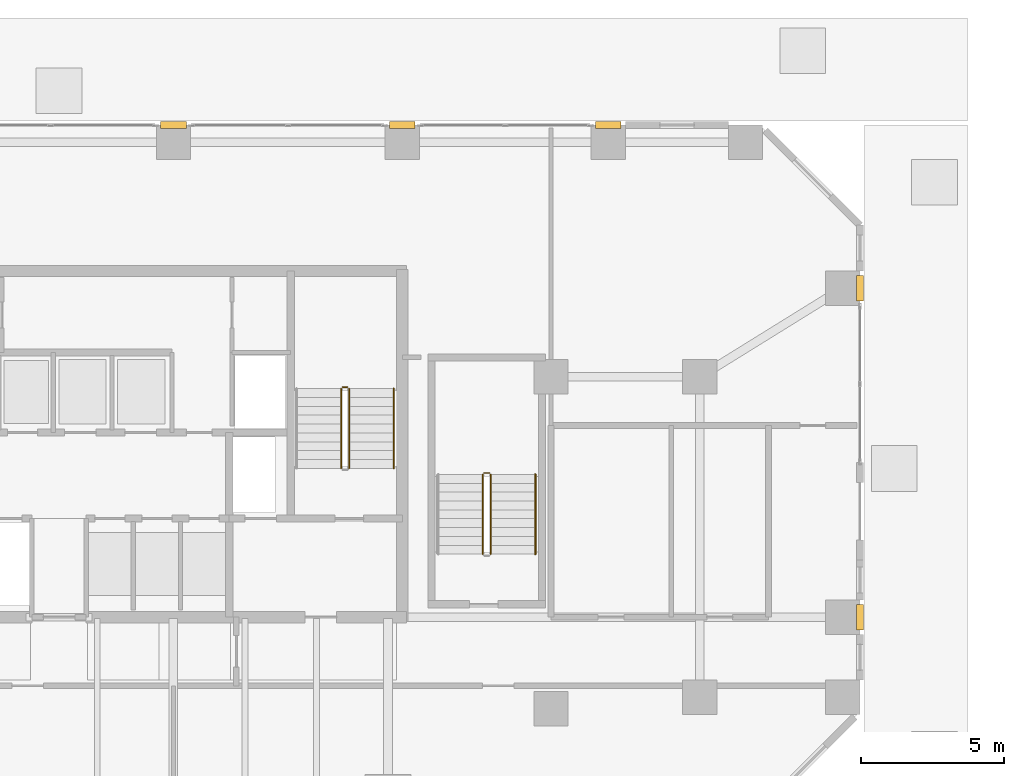
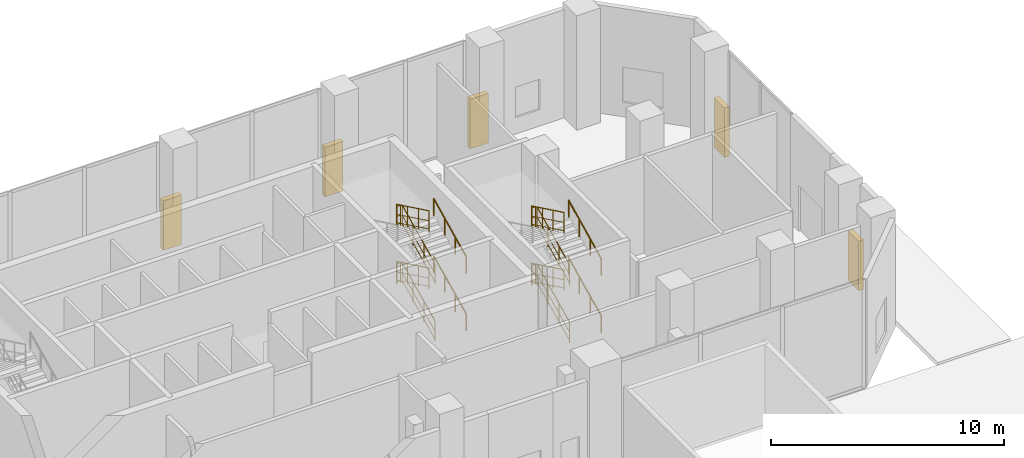
# One storey, part 24 of 26: 16 railings, 5 coverings.
"""IFC4 building model written with IfcOpenShell, lengths in metres."""

from ifc_helpers import new_model, si_unit, direction, frame, origin, origin_2d, place, context, subcontext, project, spatial, rectangle, circle, extrude, material, layer, layer_set, type_object, element, save


model = new_model("IFC4")

# Units and contexts
model_context = context("Model", 3, precision=1e-05, world=origin(), true_north=direction((0.0, 1.0)))
body_context = subcontext(model_context, "Body", "Model", "MODEL_VIEW")
ifc_project = project(units=[si_unit("LENGTHUNIT", "METRE"), si_unit("AREAUNIT", "SQUARE_METRE"), si_unit("VOLUMEUNIT", "CUBIC_METRE"), si_unit("PLANEANGLEUNIT", "RADIAN"), si_unit("MASSUNIT", "GRAM", prefix="KILO")], contexts=[model_context])

# Site, building, storey
site_placement = place(None, origin())
site = spatial("IfcSite", under=ifc_project, at=site_placement, CompositionType="ELEMENT")
building_placement = place(site_placement, origin())
building = spatial("IfcBuilding", under=site, at=building_placement, Name="Catumbela Crestline Tower", CompositionType="ELEMENT")
storey_placement = place(building_placement, origin())
storey = spatial("IfcBuildingStorey", under=building, at=storey_placement, Name="L00", CompositionType="ELEMENT", Elevation=0.0)

# Coverings
ifc_material_1 = material(Name="Extruded terracotta ceramic", Category="masonry")
ifc_layer = layer(ifc_material_1, 0.08, Name="Extruded terracotta ceramic")
ifc_layer_set = layer_set([ifc_layer], Name="Extruded terracotta ceramic")
covering_type = type_object("IfcCoveringType", Name="CC-TER", PredefinedType="CLADDING", material=ifc_layer_set)
for number, where, z_axis, x_axis, name in (
    (1, (56.0, 30.8, 0.0), (0.0, 0.0, 1.0), (0.0, 1.0, 0.0), "L00 Fluted Terracotta Column Cladding 9"),
    (2, (56.0, 42.3, 0.0), (0.0, 0.0, 1.0), (0.0, 1.0, 0.0), "L00 Fluted Terracotta Column Cladding 10"),
    (3, (32.0, 48.0, 0.0), (0.0, 0.0, 1.0), (-1.0, 0.0, 0.0), "L00 Fluted Terracotta Column Cladding 13"),
    (4, (40.0, 48.0, 0.0), (0.0, 0.0, 1.0), (-1.0, 0.0, 0.0), "L00 Fluted Terracotta Column Cladding 14"),
    (5, (47.2, 48.0, 0.0), (0.0, 0.0, 1.0), (-1.0, 0.0, 0.0), "L00 Fluted Terracotta Column Cladding 15"),
):
    element("IfcCovering", number, at=place(storey_placement, frame(where, z_axis=z_axis, x_axis=x_axis)), inside=storey, type_object=covering_type, Name=name, PredefinedType="CLADDING", context=body_context, shape_type="SweptSolid", body=[
        extrude(rectangle(XDim=0.9, YDim=0.24, at=origin_2d()), origin(), (0.0, 0.0, 1.0), 2.6),
    ])

# Railings
ifc_material_2 = material(Name="Stainless steel EN 1.4401", Category="steel")
railing_type_1 = type_object("IfcRailingType", Name="RG-1100", PredefinedType="GUARDRAIL", material=ifc_material_2)
railing_1_placement = place(storey_placement, frame((38.14, 36.0, 0.15)))
element("IfcRailing", 6, at=railing_1_placement, inside=storey, type_object=railing_type_1, Name="L00 ST-02 stair guard 1", PredefinedType="GUARDRAIL", context=body_context, shape_type="SweptSolid", body=[
    extrude(circle(Radius=0.024, at=origin_2d()), frame((0.0, 0.0, 1.076), z_axis=(0.0, 0.900159251416, 0.435560928104), x_axis=(-1.0, 0.0, 0.0)), (0.0, 0.0, 1.0), 3.0995),
    extrude(circle(Radius=0.0156, at=origin_2d()), frame((0.0, 0.0, 0.55), z_axis=(0.0, 0.900159251416, 0.435560928104), x_axis=(-1.0, 0.0, 0.0)), (0.0, 0.0, 1.0), 3.0995),
    extrude(circle(Radius=0.0156, at=origin_2d()), frame((0.0, 0.0, 0.12), z_axis=(0.0, 0.900159251416, 0.435560928104), x_axis=(-1.0, 0.0, 0.0)), (0.0, 0.0, 1.0), 3.0995),
    extrude(circle(Radius=0.021, at=origin_2d()), origin(), (0.0, 0.0, 1.0), 1.052),
    extrude(circle(Radius=0.021, at=origin_2d()), frame((0.0, 0.93, 0.45)), (0.0, 0.0, 1.0), 1.052),
    extrude(circle(Radius=0.021, at=origin_2d()), frame((0.0, 1.86, 0.9)), (0.0, 0.0, 1.0), 1.052),
    extrude(circle(Radius=0.021, at=origin_2d()), frame((0.0, 2.79, 1.35)), (0.0, 0.0, 1.0), 1.052),
])
railing_2_placement = place(storey_placement, frame((38.09, 38.84, 1.5)))
element("IfcRailing", 7, at=railing_2_placement, inside=storey, type_object=railing_type_1, Name="L00 ST-02 stair guard 2", PredefinedType="GUARDRAIL", context=body_context, shape_type="SweptSolid", body=[
    extrude(circle(Radius=0.024, at=origin_2d()), frame((0.0, 0.0, 1.076), z_axis=(-1.0, 0.0, 0.0), x_axis=(0.0, -1.0, 0.0)), (0.0, 0.0, 1.0), 0.18),
    extrude(circle(Radius=0.0156, at=origin_2d()), frame((0.0, 0.0, 0.55), z_axis=(-1.0, 0.0, 0.0), x_axis=(0.0, -1.0, 0.0)), (0.0, 0.0, 1.0), 0.18),
    extrude(circle(Radius=0.0156, at=origin_2d()), frame((0.0, 0.0, 0.12), z_axis=(-1.0, 0.0, 0.0), x_axis=(0.0, -1.0, 0.0)), (0.0, 0.0, 1.0), 0.18),
    extrude(circle(Radius=0.021, at=origin_2d()), origin(), (0.0, 0.0, 1.0), 1.052),
    extrude(circle(Radius=0.021, at=origin_2d()), frame((-0.18, 0.0, 0.0)), (0.0, 0.0, 1.0), 1.052),
])
railing_3_placement = place(storey_placement, frame((37.86, 38.79, 1.65)))
element("IfcRailing", 8, at=railing_3_placement, inside=storey, type_object=railing_type_1, Name="L00 ST-02 stair guard 3", PredefinedType="GUARDRAIL", context=body_context, shape_type="SweptSolid", body=[
    extrude(circle(Radius=0.024, at=origin_2d()), frame((0.0, 0.0, 1.076), z_axis=(0.0, -0.900159251416, 0.435560928104), x_axis=(1.0, 0.0, 0.0)), (0.0, 0.0, 1.0), 3.0995),
    extrude(circle(Radius=0.0156, at=origin_2d()), frame((0.0, 0.0, 0.55), z_axis=(0.0, -0.900159251416, 0.435560928104), x_axis=(1.0, 0.0, 0.0)), (0.0, 0.0, 1.0), 3.0995),
    extrude(circle(Radius=0.0156, at=origin_2d()), frame((0.0, 0.0, 0.12), z_axis=(0.0, -0.900159251416, 0.435560928104), x_axis=(1.0, 0.0, 0.0)), (0.0, 0.0, 1.0), 3.0995),
    extrude(circle(Radius=0.021, at=origin_2d()), origin(), (0.0, 0.0, 1.0), 1.052),
    extrude(circle(Radius=0.021, at=origin_2d()), frame((0.0, -0.93, 0.45)), (0.0, 0.0, 1.0), 1.052),
    extrude(circle(Radius=0.021, at=origin_2d()), frame((0.0, -1.86, 0.9)), (0.0, 0.0, 1.0), 1.052),
    extrude(circle(Radius=0.021, at=origin_2d()), frame((0.0, -2.79, 1.35)), (0.0, 0.0, 1.0), 1.052),
])
railing_4_placement = place(storey_placement, frame((38.14, 36.0, 3.15)))
element("IfcRailing", 9, at=railing_4_placement, inside=storey, type_object=railing_type_1, Name="L00 ST-02 stair guard 5", PredefinedType="GUARDRAIL", context=body_context, shape_type="SweptSolid", body=[
    extrude(circle(Radius=0.024, at=origin_2d()), frame((0.0, 0.0, 1.076), z_axis=(0.0, 0.900159251416, 0.435560928104), x_axis=(-1.0, 0.0, 0.0)), (0.0, 0.0, 1.0), 3.0995),
    extrude(circle(Radius=0.0156, at=origin_2d()), frame((0.0, 0.0, 0.55), z_axis=(0.0, 0.900159251416, 0.435560928104), x_axis=(-1.0, 0.0, 0.0)), (0.0, 0.0, 1.0), 3.0995),
    extrude(circle(Radius=0.0156, at=origin_2d()), frame((0.0, 0.0, 0.12), z_axis=(0.0, 0.900159251416, 0.435560928104), x_axis=(-1.0, 0.0, 0.0)), (0.0, 0.0, 1.0), 3.0995),
    extrude(circle(Radius=0.021, at=origin_2d()), origin(), (0.0, 0.0, 1.0), 1.052),
    extrude(circle(Radius=0.021, at=origin_2d()), frame((0.0, 0.93, 0.45)), (0.0, 0.0, 1.0), 1.052),
    extrude(circle(Radius=0.021, at=origin_2d()), frame((0.0, 1.86, 0.9)), (0.0, 0.0, 1.0), 1.052),
    extrude(circle(Radius=0.021, at=origin_2d()), frame((0.0, 2.79, 1.35)), (0.0, 0.0, 1.0), 1.052),
])
railing_5_placement = place(storey_placement, frame((38.09, 38.84, 4.5)))
element("IfcRailing", 10, at=railing_5_placement, inside=storey, type_object=railing_type_1, Name="L00 ST-02 stair guard 6", PredefinedType="GUARDRAIL", context=body_context, shape_type="SweptSolid", body=[
    extrude(circle(Radius=0.024, at=origin_2d()), frame((0.0, 0.0, 1.076), z_axis=(-1.0, 0.0, 0.0), x_axis=(0.0, -1.0, 0.0)), (0.0, 0.0, 1.0), 0.18),
    extrude(circle(Radius=0.0156, at=origin_2d()), frame((0.0, 0.0, 0.55), z_axis=(-1.0, 0.0, 0.0), x_axis=(0.0, -1.0, 0.0)), (0.0, 0.0, 1.0), 0.18),
    extrude(circle(Radius=0.0156, at=origin_2d()), frame((0.0, 0.0, 0.12), z_axis=(-1.0, 0.0, 0.0), x_axis=(0.0, -1.0, 0.0)), (0.0, 0.0, 1.0), 0.18),
    extrude(circle(Radius=0.021, at=origin_2d()), origin(), (0.0, 0.0, 1.0), 1.052),
    extrude(circle(Radius=0.021, at=origin_2d()), frame((-0.18, 0.0, 0.0)), (0.0, 0.0, 1.0), 1.052),
])
railing_6_placement = place(storey_placement, frame((37.86, 38.79, 4.65)))
element("IfcRailing", 11, at=railing_6_placement, inside=storey, type_object=railing_type_1, Name="L00 ST-02 stair guard 7", PredefinedType="GUARDRAIL", context=body_context, shape_type="SweptSolid", body=[
    extrude(circle(Radius=0.024, at=origin_2d()), frame((0.0, 0.0, 1.076), z_axis=(0.0, -0.900159251416, 0.435560928104), x_axis=(1.0, 0.0, 0.0)), (0.0, 0.0, 1.0), 3.0995),
    extrude(circle(Radius=0.0156, at=origin_2d()), frame((0.0, 0.0, 0.55), z_axis=(0.0, -0.900159251416, 0.435560928104), x_axis=(1.0, 0.0, 0.0)), (0.0, 0.0, 1.0), 3.0995),
    extrude(circle(Radius=0.0156, at=origin_2d()), frame((0.0, 0.0, 0.12), z_axis=(0.0, -0.900159251416, 0.435560928104), x_axis=(1.0, 0.0, 0.0)), (0.0, 0.0, 1.0), 3.0995),
    extrude(circle(Radius=0.021, at=origin_2d()), origin(), (0.0, 0.0, 1.0), 1.052),
    extrude(circle(Radius=0.021, at=origin_2d()), frame((0.0, -0.93, 0.45)), (0.0, 0.0, 1.0), 1.052),
    extrude(circle(Radius=0.021, at=origin_2d()), frame((0.0, -1.86, 0.9)), (0.0, 0.0, 1.0), 1.052),
    extrude(circle(Radius=0.021, at=origin_2d()), frame((0.0, -2.79, 1.35)), (0.0, 0.0, 1.0), 1.052),
])
railing_7_placement = place(storey_placement, frame((43.09, 33.0, 0.15)))
element("IfcRailing", 12, at=railing_7_placement, inside=storey, type_object=railing_type_1, Name="L00 ST-04 stair guard 1", PredefinedType="GUARDRAIL", context=body_context, shape_type="SweptSolid", body=[
    extrude(circle(Radius=0.024, at=origin_2d()), frame((0.0, 0.0, 1.076), z_axis=(0.0, 0.900159251416, 0.435560928104), x_axis=(-1.0, 0.0, 0.0)), (0.0, 0.0, 1.0), 3.0995),
    extrude(circle(Radius=0.0156, at=origin_2d()), frame((0.0, 0.0, 0.55), z_axis=(0.0, 0.900159251416, 0.435560928104), x_axis=(-1.0, 0.0, 0.0)), (0.0, 0.0, 1.0), 3.0995),
    extrude(circle(Radius=0.0156, at=origin_2d()), frame((0.0, 0.0, 0.12), z_axis=(0.0, 0.900159251416, 0.435560928104), x_axis=(-1.0, 0.0, 0.0)), (0.0, 0.0, 1.0), 3.0995),
    extrude(circle(Radius=0.021, at=origin_2d()), origin(), (0.0, 0.0, 1.0), 1.052),
    extrude(circle(Radius=0.021, at=origin_2d()), frame((0.0, 0.93, 0.45)), (0.0, 0.0, 1.0), 1.052),
    extrude(circle(Radius=0.021, at=origin_2d()), frame((0.0, 1.86, 0.9)), (0.0, 0.0, 1.0), 1.052),
    extrude(circle(Radius=0.021, at=origin_2d()), frame((0.0, 2.79, 1.35)), (0.0, 0.0, 1.0), 1.052),
])
railing_8_placement = place(storey_placement, frame((43.04, 35.84, 1.5)))
element("IfcRailing", 13, at=railing_8_placement, inside=storey, type_object=railing_type_1, Name="L00 ST-04 stair guard 2", PredefinedType="GUARDRAIL", context=body_context, shape_type="SweptSolid", body=[
    extrude(circle(Radius=0.024, at=origin_2d()), frame((0.0, 0.0, 1.076), z_axis=(-1.0, 0.0, 0.0), x_axis=(0.0, -1.0, 0.0)), (0.0, 0.0, 1.0), 0.18),
    extrude(circle(Radius=0.0156, at=origin_2d()), frame((0.0, 0.0, 0.55), z_axis=(-1.0, 0.0, 0.0), x_axis=(0.0, -1.0, 0.0)), (0.0, 0.0, 1.0), 0.18),
    extrude(circle(Radius=0.0156, at=origin_2d()), frame((0.0, 0.0, 0.12), z_axis=(-1.0, 0.0, 0.0), x_axis=(0.0, -1.0, 0.0)), (0.0, 0.0, 1.0), 0.18),
    extrude(circle(Radius=0.021, at=origin_2d()), origin(), (0.0, 0.0, 1.0), 1.052),
    extrude(circle(Radius=0.021, at=origin_2d()), frame((-0.18, 0.0, 0.0)), (0.0, 0.0, 1.0), 1.052),
])
railing_9_placement = place(storey_placement, frame((42.81, 35.79, 1.65)))
element("IfcRailing", 14, at=railing_9_placement, inside=storey, type_object=railing_type_1, Name="L00 ST-04 stair guard 3", PredefinedType="GUARDRAIL", context=body_context, shape_type="SweptSolid", body=[
    extrude(circle(Radius=0.024, at=origin_2d()), frame((0.0, 0.0, 1.076), z_axis=(0.0, -0.900159251416, 0.435560928104), x_axis=(1.0, 0.0, 0.0)), (0.0, 0.0, 1.0), 3.0995),
    extrude(circle(Radius=0.0156, at=origin_2d()), frame((0.0, 0.0, 0.55), z_axis=(0.0, -0.900159251416, 0.435560928104), x_axis=(1.0, 0.0, 0.0)), (0.0, 0.0, 1.0), 3.0995),
    extrude(circle(Radius=0.0156, at=origin_2d()), frame((0.0, 0.0, 0.12), z_axis=(0.0, -0.900159251416, 0.435560928104), x_axis=(1.0, 0.0, 0.0)), (0.0, 0.0, 1.0), 3.0995),
    extrude(circle(Radius=0.021, at=origin_2d()), origin(), (0.0, 0.0, 1.0), 1.052),
    extrude(circle(Radius=0.021, at=origin_2d()), frame((0.0, -0.93, 0.45)), (0.0, 0.0, 1.0), 1.052),
    extrude(circle(Radius=0.021, at=origin_2d()), frame((0.0, -1.86, 0.9)), (0.0, 0.0, 1.0), 1.052),
    extrude(circle(Radius=0.021, at=origin_2d()), frame((0.0, -2.79, 1.35)), (0.0, 0.0, 1.0), 1.052),
])
railing_10_placement = place(storey_placement, frame((43.09, 33.0, 3.15)))
element("IfcRailing", 15, at=railing_10_placement, inside=storey, type_object=railing_type_1, Name="L00 ST-04 stair guard 5", PredefinedType="GUARDRAIL", context=body_context, shape_type="SweptSolid", body=[
    extrude(circle(Radius=0.024, at=origin_2d()), frame((0.0, 0.0, 1.076), z_axis=(0.0, 0.900159251416, 0.435560928104), x_axis=(-1.0, 0.0, 0.0)), (0.0, 0.0, 1.0), 3.0995),
    extrude(circle(Radius=0.0156, at=origin_2d()), frame((0.0, 0.0, 0.55), z_axis=(0.0, 0.900159251416, 0.435560928104), x_axis=(-1.0, 0.0, 0.0)), (0.0, 0.0, 1.0), 3.0995),
    extrude(circle(Radius=0.0156, at=origin_2d()), frame((0.0, 0.0, 0.12), z_axis=(0.0, 0.900159251416, 0.435560928104), x_axis=(-1.0, 0.0, 0.0)), (0.0, 0.0, 1.0), 3.0995),
    extrude(circle(Radius=0.021, at=origin_2d()), origin(), (0.0, 0.0, 1.0), 1.052),
    extrude(circle(Radius=0.021, at=origin_2d()), frame((0.0, 0.93, 0.45)), (0.0, 0.0, 1.0), 1.052),
    extrude(circle(Radius=0.021, at=origin_2d()), frame((0.0, 1.86, 0.9)), (0.0, 0.0, 1.0), 1.052),
    extrude(circle(Radius=0.021, at=origin_2d()), frame((0.0, 2.79, 1.35)), (0.0, 0.0, 1.0), 1.052),
])
railing_11_placement = place(storey_placement, frame((43.04, 35.84, 4.5)))
element("IfcRailing", 16, at=railing_11_placement, inside=storey, type_object=railing_type_1, Name="L00 ST-04 stair guard 6", PredefinedType="GUARDRAIL", context=body_context, shape_type="SweptSolid", body=[
    extrude(circle(Radius=0.024, at=origin_2d()), frame((0.0, 0.0, 1.076), z_axis=(-1.0, 0.0, 0.0), x_axis=(0.0, -1.0, 0.0)), (0.0, 0.0, 1.0), 0.18),
    extrude(circle(Radius=0.0156, at=origin_2d()), frame((0.0, 0.0, 0.55), z_axis=(-1.0, 0.0, 0.0), x_axis=(0.0, -1.0, 0.0)), (0.0, 0.0, 1.0), 0.18),
    extrude(circle(Radius=0.0156, at=origin_2d()), frame((0.0, 0.0, 0.12), z_axis=(-1.0, 0.0, 0.0), x_axis=(0.0, -1.0, 0.0)), (0.0, 0.0, 1.0), 0.18),
    extrude(circle(Radius=0.021, at=origin_2d()), origin(), (0.0, 0.0, 1.0), 1.052),
    extrude(circle(Radius=0.021, at=origin_2d()), frame((-0.18, 0.0, 0.0)), (0.0, 0.0, 1.0), 1.052),
])
railing_12_placement = place(storey_placement, frame((42.81, 35.79, 4.65)))
element("IfcRailing", 17, at=railing_12_placement, inside=storey, type_object=railing_type_1, Name="L00 ST-04 stair guard 7", PredefinedType="GUARDRAIL", context=body_context, shape_type="SweptSolid", body=[
    extrude(circle(Radius=0.024, at=origin_2d()), frame((0.0, 0.0, 1.076), z_axis=(0.0, -0.900159251416, 0.435560928104), x_axis=(1.0, 0.0, 0.0)), (0.0, 0.0, 1.0), 3.0995),
    extrude(circle(Radius=0.0156, at=origin_2d()), frame((0.0, 0.0, 0.55), z_axis=(0.0, -0.900159251416, 0.435560928104), x_axis=(1.0, 0.0, 0.0)), (0.0, 0.0, 1.0), 3.0995),
    extrude(circle(Radius=0.0156, at=origin_2d()), frame((0.0, 0.0, 0.12), z_axis=(0.0, -0.900159251416, 0.435560928104), x_axis=(1.0, 0.0, 0.0)), (0.0, 0.0, 1.0), 3.0995),
    extrude(circle(Radius=0.021, at=origin_2d()), origin(), (0.0, 0.0, 1.0), 1.052),
    extrude(circle(Radius=0.021, at=origin_2d()), frame((0.0, -0.93, 0.45)), (0.0, 0.0, 1.0), 1.052),
    extrude(circle(Radius=0.021, at=origin_2d()), frame((0.0, -1.86, 0.9)), (0.0, 0.0, 1.0), 1.052),
    extrude(circle(Radius=0.021, at=origin_2d()), frame((0.0, -2.79, 1.35)), (0.0, 0.0, 1.0), 1.052),
])
railing_type_2 = type_object("IfcRailingType", Name="RH-0900", PredefinedType="HANDRAIL", material=ifc_material_2)
for number, where, name in (
    (18, (39.7, 36.0, 0.15), "L00 ST-02 stair handrail 1"),
    (19, (39.7, 36.0, 3.15), "L00 ST-02 stair handrail 3"),
    (20, (44.65, 33.0, 0.15), "L00 ST-04 stair handrail 1"),
    (21, (44.65, 33.0, 3.15), "L00 ST-04 stair handrail 3"),
):
    element("IfcRailing", number, at=place(storey_placement, frame(where)), inside=storey, type_object=railing_type_2, Name=name, PredefinedType="HANDRAIL", context=body_context, shape_type="SweptSolid", body=[
        extrude(circle(Radius=0.024, at=origin_2d()), frame((0.0, 0.0, 0.876), z_axis=(0.0, 0.900159251416, 0.435560928104), x_axis=(-1.0, 0.0, 0.0)), (0.0, 0.0, 1.0), 3.0995),
        extrude(circle(Radius=0.021, at=origin_2d()), origin(), (0.0, 0.0, 1.0), 0.852),
        extrude(circle(Radius=0.021, at=origin_2d()), frame((0.0, 0.93, 0.45)), (0.0, 0.0, 1.0), 0.852),
        extrude(circle(Radius=0.021, at=origin_2d()), frame((0.0, 1.86, 0.9)), (0.0, 0.0, 1.0), 0.852),
        extrude(circle(Radius=0.021, at=origin_2d()), frame((0.0, 2.79, 1.35)), (0.0, 0.0, 1.0), 0.852),
    ])

save(model, "model.ifc")
